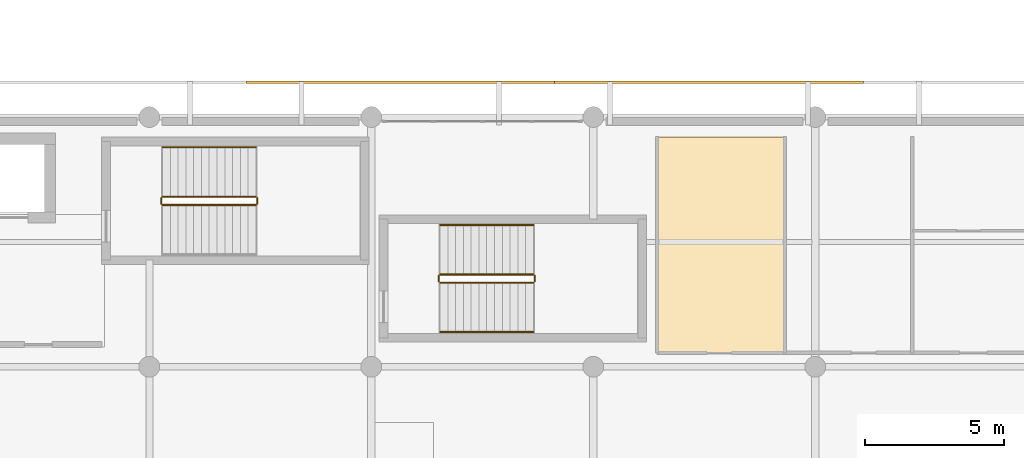
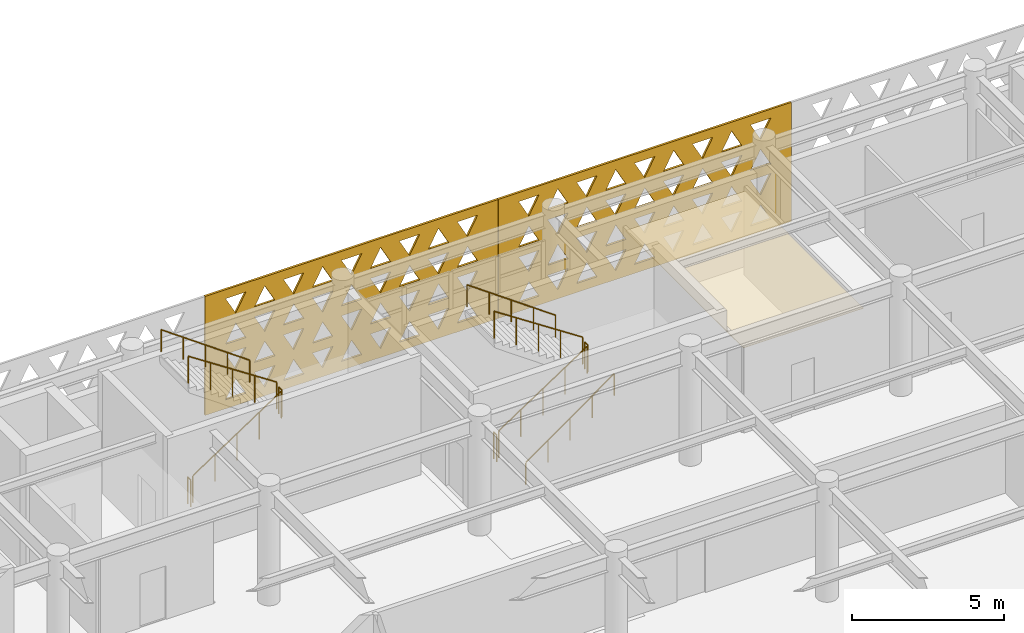
# One storey, part 29 of 33: 11 railings, 3 coverings.
"""IFC4 building model written with IfcOpenShell, lengths in metres."""

from ifc_helpers import new_model, si_unit, direction, frame, origin, origin_2d, place, context, subcontext, project, spatial, polyline, circle, outline, extrude, material, layer, layer_set, type_object, element, save


model = new_model("IFC4")

# Units and contexts
model_context = context("Model", 3, precision=1e-05, world=origin(), true_north=direction((0.0, 1.0)))
body_context = subcontext(model_context, "Body", "Model", "MODEL_VIEW")
ifc_project = project(units=[si_unit("LENGTHUNIT", "METRE"), si_unit("AREAUNIT", "SQUARE_METRE"), si_unit("VOLUMEUNIT", "CUBIC_METRE"), si_unit("PLANEANGLEUNIT", "RADIAN"), si_unit("MASSUNIT", "GRAM", prefix="KILO")], contexts=[model_context])

# Site, building, storey
site_placement = place(None, origin())
site = spatial("IfcSite", under=ifc_project, at=site_placement, CompositionType="ELEMENT")
building_placement = place(site_placement, origin())
building = spatial("IfcBuilding", under=site, at=building_placement, Name="Tlacozan Convention Centre", CompositionType="ELEMENT")
storey_placement = place(building_placement, frame((0.0, 0.0, 16.199951171875)))
storey = spatial("IfcBuildingStorey", under=building, at=storey_placement, Name="L03", CompositionType="ELEMENT", Elevation=16.199951171875)

# Covering
ifc_material_1 = material(Name="Perforated Acoustic Mineral Fibre Ceiling")
ifc_layer_1 = layer(ifc_material_1, 0.02490234375)
ifc_layer_set_1 = layer_set([ifc_layer_1], Name="Perforated Acoustic Mineral Fibre Ceiling")
covering_type_1 = type_object("IfcCoveringType", Name="Acoustic Mineral Fibre Ceiling 25", PredefinedType="CEILING", material=ifc_layer_set_1)
covering_1_placement = place(storey_placement, frame((0.0, 0.0, 3.35009765625)))
element("IfcCovering", 1, at=covering_1_placement, inside=storey, type_object=covering_type_1, Name="L03 Acoustic Ceiling L03-WC1", PredefinedType="CEILING", context=body_context, shape_type="SweptSolid", body=[
    extrude(outline(polyline([(58.320068359375, 18.52001953125), (62.8798828125, 18.52001953125), (62.8798828125, 26.280029296875), (58.320068359375, 26.280029296875), (58.320068359375, 18.52001953125)])), origin(), (0.0, 0.0, 1.0), 0.02490234375),
])

# Railings
ifc_material_2 = material(Name="Architectural Painted Galvanised Steel Railing", Category="steel")
railing_type_1 = type_object("IfcRailingType", Name="Stair Wall Handrail 900", PredefinedType="HANDRAIL", material=ifc_material_2)
railing_1_placement = place(storey_placement, frame((43.840087890625, 25.909912109375, 2.584716796875)))
element("IfcRailing", 2, at=railing_1_placement, inside=storey, type_object=railing_type_1, Name="L03 ST-04 stair handrail 2", PredefinedType="HANDRAIL", context=body_context, shape_type="SweptSolid", body=[
    extrude(circle(Radius=0.02392578125, at=origin_2d()), frame((0.0, 0.0, 0.8759765625), z_axis=(-0.813753445783, 0.0, 0.581210228297), x_axis=(0.0, -1.0, 0.0)), (0.0, 0.0, 1.0), 4.129150390625),
    extrude(circle(Radius=0.02099609375, at=origin_2d()), origin(), (0.0, 0.0, 1.0), 0.851806640625),
    extrude(circle(Radius=0.02099609375, at=origin_2d()), frame((-0.840087890625, 0.0, 0.60009765625)), (0.0, 0.0, 1.0), 0.851806640625),
    extrude(circle(Radius=0.02099609375, at=origin_2d()), frame((-1.68017578125, 0.0, 1.199951171875)), (0.0, 0.0, 1.0), 0.851806640625),
    extrude(circle(Radius=0.02099609375, at=origin_2d()), frame((-2.52001953125, 0.0, 1.7998046875)), (0.0, 0.0, 1.0), 0.851806640625),
    extrude(circle(Radius=0.02099609375, at=origin_2d()), frame((-3.360107421875, 0.0, 2.39990234375)), (0.0, 0.0, 1.0), 0.851806640625),
])
railing_2_placement = place(storey_placement, frame((50.47998046875, 19.25, 0.1845703125)))
element("IfcRailing", 3, at=railing_2_placement, inside=storey, type_object=railing_type_1, Name="L03 ST-14 stair handrail 1", PredefinedType="HANDRAIL", context=body_context, shape_type="SweptSolid", body=[
    extrude(circle(Radius=0.02392578125, at=origin_2d()), frame((0.0, 0.0, 0.8759765625), z_axis=(0.813725481382, 0.0, 0.581249379312), x_axis=(0.0, 1.0, 0.0)), (0.0, 0.0, 1.0), 4.12939453125),
    extrude(circle(Radius=0.02099609375, at=origin_2d()), origin(), (0.0, 0.0, 1.0), 0.851806640625),
    extrude(circle(Radius=0.02099609375, at=origin_2d()), frame((0.840087890625, 0.0, 0.60009765625)), (0.0, 0.0, 1.0), 0.851806640625),
    extrude(circle(Radius=0.02099609375, at=origin_2d()), frame((1.68017578125, 0.0, 1.2001953125)), (0.0, 0.0, 1.0), 0.851806640625),
    extrude(circle(Radius=0.02099609375, at=origin_2d()), frame((2.52001953125, 0.0, 1.800048828125)), (0.0, 0.0, 1.0), 0.851806640625),
    extrude(circle(Radius=0.02099609375, at=origin_2d()), frame((3.360107421875, 0.0, 2.400146484375)), (0.0, 0.0, 1.0), 0.851806640625),
])
railing_3_placement = place(storey_placement, frame((53.840087890625, 23.110107421875, 2.584716796875)))
element("IfcRailing", 4, at=railing_3_placement, inside=storey, type_object=railing_type_1, Name="L03 ST-14 stair handrail 2", PredefinedType="HANDRAIL", context=body_context, shape_type="SweptSolid", body=[
    extrude(circle(Radius=0.02392578125, at=origin_2d()), frame((0.0, 0.0, 0.8759765625), z_axis=(-0.813753445783, 0.0, 0.581210228297), x_axis=(0.0, -1.0, 0.0)), (0.0, 0.0, 1.0), 4.129150390625),
    extrude(circle(Radius=0.02099609375, at=origin_2d()), origin(), (0.0, 0.0, 1.0), 0.851806640625),
    extrude(circle(Radius=0.02099609375, at=origin_2d()), frame((-0.840087890625, 0.0, 0.60009765625)), (0.0, 0.0, 1.0), 0.851806640625),
    extrude(circle(Radius=0.02099609375, at=origin_2d()), frame((-1.68017578125, 0.0, 1.199951171875)), (0.0, 0.0, 1.0), 0.851806640625),
    extrude(circle(Radius=0.02099609375, at=origin_2d()), frame((-2.52001953125, 0.0, 1.7998046875)), (0.0, 0.0, 1.0), 0.851806640625),
    extrude(circle(Radius=0.02099609375, at=origin_2d()), frame((-3.360107421875, 0.0, 2.39990234375)), (0.0, 0.0, 1.0), 0.851806640625),
])
railing_type_2 = type_object("IfcRailingType", Name="Stair Well Guardrail 1100", PredefinedType="GUARDRAIL", material=ifc_material_2)
railing_4_placement = place(storey_placement, frame((40.47998046875, 23.830078125, 0.1845703125)))
element("IfcRailing", 5, at=railing_4_placement, inside=storey, type_object=railing_type_2, Name="L03 ST-04 stair guard 1", PredefinedType="GUARDRAIL", context=body_context, shape_type="SweptSolid", body=[
    extrude(circle(Radius=0.02392578125, at=origin_2d()), frame((0.0, 0.0, 1.076171875), z_axis=(0.834848600103, 0.0, 0.550479622607), x_axis=(0.0, 1.0, 0.0)), (0.0, 0.0, 1.0), 4.02490234375),
    extrude(circle(Radius=0.02099609375, at=origin_2d()), origin(), (0.0, 0.0, 1.0), 1.052001953125),
    extrude(circle(Radius=0.02099609375, at=origin_2d()), frame((0.840087890625, 0.0, 0.553955078125)), (0.0, 0.0, 1.0), 1.052001953125),
    extrude(circle(Radius=0.02099609375, at=origin_2d()), frame((1.68017578125, 0.0, 1.10791015625)), (0.0, 0.0, 1.0), 1.052001953125),
    extrude(circle(Radius=0.02099609375, at=origin_2d()), frame((2.52001953125, 0.0, 1.66162109375)), (0.0, 0.0, 1.0), 1.052001953125),
    extrude(circle(Radius=0.02099609375, at=origin_2d()), frame((3.360107421875, 0.0, 2.215576171875)), (0.0, 0.0, 1.0), 1.052001953125),
])
railing_5_placement = place(storey_placement, frame((43.889892578125, 23.8798828125, 2.400146484375)))
element("IfcRailing", 6, at=railing_5_placement, inside=storey, type_object=railing_type_2, Name="L03 ST-04 stair guard 2", PredefinedType="GUARDRAIL", context=body_context, shape_type="SweptSolid", body=[
    extrude(circle(Radius=0.02392578125, at=origin_2d()), frame((0.0, 0.0, 1.076171875), z_axis=(0.0, 1.0, 0.0), x_axis=(-1.0, 0.0, 0.0)), (0.0, 0.0, 1.0), 0.2001953125),
    extrude(circle(Radius=0.02099609375, at=origin_2d()), origin(), (0.0, 0.0, 1.0), 1.052001953125),
    extrude(circle(Radius=0.02099609375, at=origin_2d()), frame((0.0, 0.2001953125, 0.0)), (0.0, 0.0, 1.0), 1.052001953125),
])
railing_6_placement = place(storey_placement, frame((43.840087890625, 24.1298828125, 2.584716796875)))
element("IfcRailing", 7, at=railing_6_placement, inside=storey, type_object=railing_type_2, Name="L03 ST-04 stair guard 3", PredefinedType="GUARDRAIL", context=body_context, shape_type="SweptSolid", body=[
    extrude(circle(Radius=0.02392578125, at=origin_2d()), frame((0.0, 0.0, 1.076171875), z_axis=(-0.834876476806, 0.0, 0.550437342915), x_axis=(0.0, -1.0, 0.0)), (0.0, 0.0, 1.0), 4.024658203125),
    extrude(circle(Radius=0.02099609375, at=origin_2d()), origin(), (0.0, 0.0, 1.0), 1.052001953125),
    extrude(circle(Radius=0.02099609375, at=origin_2d()), frame((-0.840087890625, 0.0, 0.5537109375)), (0.0, 0.0, 1.0), 1.052001953125),
    extrude(circle(Radius=0.02099609375, at=origin_2d()), frame((-1.68017578125, 0.0, 1.107666015625)), (0.0, 0.0, 1.0), 1.052001953125),
    extrude(circle(Radius=0.02099609375, at=origin_2d()), frame((-2.52001953125, 0.0, 1.66162109375)), (0.0, 0.0, 1.0), 1.052001953125),
    extrude(circle(Radius=0.02099609375, at=origin_2d()), frame((-3.360107421875, 0.0, 2.21533203125)), (0.0, 0.0, 1.0), 1.052001953125),
])
railing_7_placement = place(storey_placement, frame((40.429931640625, 23.8798828125, 0.0)))
element("IfcRailing", 8, at=railing_7_placement, inside=storey, type_object=railing_type_2, Name="L03 ST-04 stair guard 4", PredefinedType="GUARDRAIL", context=body_context, shape_type="SweptSolid", body=[
    extrude(circle(Radius=0.02392578125, at=origin_2d()), frame((0.0, 0.0, 1.076171875), z_axis=(0.0, 1.0, 0.0), x_axis=(-1.0, 0.0, 0.0)), (0.0, 0.0, 1.0), 0.2001953125),
    extrude(circle(Radius=0.02099609375, at=origin_2d()), origin(), (0.0, 0.0, 1.0), 1.052001953125),
    extrude(circle(Radius=0.02099609375, at=origin_2d()), frame((0.0, 0.2001953125, 0.0)), (0.0, 0.0, 1.0), 1.052001953125),
])
railing_8_placement = place(storey_placement, frame((50.47998046875, 21.030029296875, 0.1845703125)))
element("IfcRailing", 9, at=railing_8_placement, inside=storey, type_object=railing_type_2, Name="L03 ST-14 stair guard 1", PredefinedType="GUARDRAIL", context=body_context, shape_type="SweptSolid", body=[
    extrude(circle(Radius=0.02392578125, at=origin_2d()), frame((0.0, 0.0, 1.076171875), z_axis=(0.834848600103, 0.0, 0.550479622607), x_axis=(0.0, 1.0, 0.0)), (0.0, 0.0, 1.0), 4.02490234375),
    extrude(circle(Radius=0.02099609375, at=origin_2d()), origin(), (0.0, 0.0, 1.0), 1.052001953125),
    extrude(circle(Radius=0.02099609375, at=origin_2d()), frame((0.840087890625, 0.0, 0.553955078125)), (0.0, 0.0, 1.0), 1.052001953125),
    extrude(circle(Radius=0.02099609375, at=origin_2d()), frame((1.68017578125, 0.0, 1.10791015625)), (0.0, 0.0, 1.0), 1.052001953125),
    extrude(circle(Radius=0.02099609375, at=origin_2d()), frame((2.52001953125, 0.0, 1.66162109375)), (0.0, 0.0, 1.0), 1.052001953125),
    extrude(circle(Radius=0.02099609375, at=origin_2d()), frame((3.360107421875, 0.0, 2.215576171875)), (0.0, 0.0, 1.0), 1.052001953125),
])
railing_9_placement = place(storey_placement, frame((53.889892578125, 21.080078125, 2.400146484375)))
element("IfcRailing", 10, at=railing_9_placement, inside=storey, type_object=railing_type_2, Name="L03 ST-14 stair guard 2", PredefinedType="GUARDRAIL", context=body_context, shape_type="SweptSolid", body=[
    extrude(circle(Radius=0.02392578125, at=origin_2d()), frame((0.0, 0.0, 1.076171875), z_axis=(0.0, 1.0, 0.0), x_axis=(-1.0, 0.0, 0.0)), (0.0, 0.0, 1.0), 0.199951171875),
    extrude(circle(Radius=0.02099609375, at=origin_2d()), origin(), (0.0, 0.0, 1.0), 1.052001953125),
    extrude(circle(Radius=0.02099609375, at=origin_2d()), frame((0.0, 0.199951171875, 0.0)), (0.0, 0.0, 1.0), 1.052001953125),
])
railing_10_placement = place(storey_placement, frame((53.840087890625, 21.330078125, 2.584716796875)))
element("IfcRailing", 11, at=railing_10_placement, inside=storey, type_object=railing_type_2, Name="L03 ST-14 stair guard 3", PredefinedType="GUARDRAIL", context=body_context, shape_type="SweptSolid", body=[
    extrude(circle(Radius=0.02392578125, at=origin_2d()), frame((0.0, 0.0, 1.076171875), z_axis=(-0.834876476806, 0.0, 0.550437342915), x_axis=(0.0, -1.0, 0.0)), (0.0, 0.0, 1.0), 4.024658203125),
    extrude(circle(Radius=0.02099609375, at=origin_2d()), origin(), (0.0, 0.0, 1.0), 1.052001953125),
    extrude(circle(Radius=0.02099609375, at=origin_2d()), frame((-0.840087890625, 0.0, 0.5537109375)), (0.0, 0.0, 1.0), 1.052001953125),
    extrude(circle(Radius=0.02099609375, at=origin_2d()), frame((-1.68017578125, 0.0, 1.107666015625)), (0.0, 0.0, 1.0), 1.052001953125),
    extrude(circle(Radius=0.02099609375, at=origin_2d()), frame((-2.52001953125, 0.0, 1.66162109375)), (0.0, 0.0, 1.0), 1.052001953125),
    extrude(circle(Radius=0.02099609375, at=origin_2d()), frame((-3.360107421875, 0.0, 2.21533203125)), (0.0, 0.0, 1.0), 1.052001953125),
])
railing_11_placement = place(storey_placement, frame((50.429931640625, 21.080078125, 0.0)))
element("IfcRailing", 12, at=railing_11_placement, inside=storey, type_object=railing_type_2, Name="L03 ST-14 stair guard 4", PredefinedType="GUARDRAIL", context=body_context, shape_type="SweptSolid", body=[
    extrude(circle(Radius=0.02392578125, at=origin_2d()), frame((0.0, 0.0, 1.076171875), z_axis=(0.0, 1.0, 0.0), x_axis=(-1.0, 0.0, 0.0)), (0.0, 0.0, 1.0), 0.199951171875),
    extrude(circle(Radius=0.02099609375, at=origin_2d()), origin(), (0.0, 0.0, 1.0), 1.052001953125),
    extrude(circle(Radius=0.02099609375, at=origin_2d()), frame((0.0, 0.199951171875, 0.0)), (0.0, 0.0, 1.0), 1.052001953125),
])

# Coverings
ifc_material_3 = material(Name="Toluca Fired Terracotta Masonry Solar Screen", Category="masonry")
ifc_layer_2 = layer(ifc_material_3, 0.080078125)
ifc_layer_set_2 = layer_set([ifc_layer_2], Name="Toluca Fired Terracotta Masonry Solar Screen")
covering_type_2 = type_object("IfcCoveringType", Name="Terracotta Triangle Solar Screen 80", PredefinedType="USERDEFINED", material=ifc_layer_set_2)
covering_2_placement = place(storey_placement, frame((43.47705078125, 28.25, -0.030029296875), z_axis=(0.0, 0.0, 1.0), x_axis=(1.0, 0.0, 0.0)))
element("IfcCovering", 13, at=covering_2_placement, inside=storey, type_object=covering_type_2, Name="L03 Terracotta Triangle Screen 73", ObjectType="SCREEN", PredefinedType="USERDEFINED", context=body_context, shape_type="SweptSolid", body=[
    extrude(outline(polyline([(0.0, 0.0), (11.127197265625, 0.0), (11.127197265625, 4.780029296875), (0.0, 4.780029296875), (0.0, 0.0)]), holes=[polyline([(0.777587890625, 0.360107421875), (1.549560546875, 0.360107421875), (1.16357421875, 1.074951171875), (0.777587890625, 0.360107421875)]), polyline([(1.877685546875, 1.074951171875), (2.649658203125, 1.074951171875), (2.263671875, 0.360107421875), (1.877685546875, 1.074951171875)]), polyline([(2.9775390625, 0.360107421875), (3.74951171875, 0.360107421875), (3.363525390625, 1.074951171875), (2.9775390625, 0.360107421875)]), polyline([(4.07763671875, 1.074951171875), (4.849609375, 1.074951171875), (4.463623046875, 0.360107421875), (4.07763671875, 1.074951171875)]), polyline([(5.177490234375, 0.360107421875), (5.94970703125, 0.360107421875), (5.5634765625, 1.074951171875), (5.177490234375, 0.360107421875)]), polyline([(6.277587890625, 1.074951171875), (7.049560546875, 1.074951171875), (6.66357421875, 0.360107421875), (6.277587890625, 1.074951171875)]), polyline([(7.377685546875, 0.360107421875), (8.149658203125, 0.360107421875), (7.763671875, 1.074951171875), (7.377685546875, 0.360107421875)]), polyline([(8.4775390625, 1.074951171875), (9.24951171875, 1.074951171875), (8.863525390625, 0.360107421875), (8.4775390625, 1.074951171875)]), polyline([(9.57763671875, 0.360107421875), (10.349609375, 0.360107421875), (9.963623046875, 1.074951171875), (9.57763671875, 0.360107421875)]), polyline([(0.777587890625, 2.18994140625), (1.549560546875, 2.18994140625), (1.16357421875, 1.47509765625), (0.777587890625, 2.18994140625)]), polyline([(1.877685546875, 1.47509765625), (2.649658203125, 1.47509765625), (2.263671875, 2.18994140625), (1.877685546875, 1.47509765625)]), polyline([(2.9775390625, 2.18994140625), (3.74951171875, 2.18994140625), (3.363525390625, 1.47509765625), (2.9775390625, 2.18994140625)]), polyline([(4.07763671875, 1.47509765625), (4.849609375, 1.47509765625), (4.463623046875, 2.18994140625), (4.07763671875, 1.47509765625)]), polyline([(5.177490234375, 2.18994140625), (5.94970703125, 2.18994140625), (5.5634765625, 1.47509765625), (5.177490234375, 2.18994140625)]), polyline([(6.277587890625, 1.47509765625), (7.049560546875, 1.47509765625), (6.66357421875, 2.18994140625), (6.277587890625, 1.47509765625)]), polyline([(7.377685546875, 2.18994140625), (8.149658203125, 2.18994140625), (7.763671875, 1.47509765625), (7.377685546875, 2.18994140625)]), polyline([(8.4775390625, 1.47509765625), (9.24951171875, 1.47509765625), (8.863525390625, 2.18994140625), (8.4775390625, 1.47509765625)]), polyline([(9.57763671875, 2.18994140625), (10.349609375, 2.18994140625), (9.963623046875, 1.47509765625), (9.57763671875, 2.18994140625)]), polyline([(0.777587890625, 2.590087890625), (1.549560546875, 2.590087890625), (1.16357421875, 3.304931640625), (0.777587890625, 2.590087890625)]), polyline([(1.877685546875, 3.304931640625), (2.649658203125, 3.304931640625), (2.263671875, 2.590087890625), (1.877685546875, 3.304931640625)]), polyline([(2.9775390625, 2.590087890625), (3.74951171875, 2.590087890625), (3.363525390625, 3.304931640625), (2.9775390625, 2.590087890625)]), polyline([(4.07763671875, 3.304931640625), (4.849609375, 3.304931640625), (4.463623046875, 2.590087890625), (4.07763671875, 3.304931640625)]), polyline([(5.177490234375, 2.590087890625), (5.94970703125, 2.590087890625), (5.5634765625, 3.304931640625), (5.177490234375, 2.590087890625)]), polyline([(6.277587890625, 3.304931640625), (7.049560546875, 3.304931640625), (6.66357421875, 2.590087890625), (6.277587890625, 3.304931640625)]), polyline([(7.377685546875, 2.590087890625), (8.149658203125, 2.590087890625), (7.763671875, 3.304931640625), (7.377685546875, 2.590087890625)]), polyline([(8.4775390625, 3.304931640625), (9.24951171875, 3.304931640625), (8.863525390625, 2.590087890625), (8.4775390625, 3.304931640625)]), polyline([(9.57763671875, 2.590087890625), (10.349609375, 2.590087890625), (9.963623046875, 3.304931640625), (9.57763671875, 2.590087890625)]), polyline([(0.777587890625, 4.419921875), (1.549560546875, 4.419921875), (1.16357421875, 3.705078125), (0.777587890625, 4.419921875)]), polyline([(1.877685546875, 3.705078125), (2.649658203125, 3.705078125), (2.263671875, 4.419921875), (1.877685546875, 3.705078125)]), polyline([(2.9775390625, 4.419921875), (3.74951171875, 4.419921875), (3.363525390625, 3.705078125), (2.9775390625, 4.419921875)]), polyline([(4.07763671875, 3.705078125), (4.849609375, 3.705078125), (4.463623046875, 4.419921875), (4.07763671875, 3.705078125)]), polyline([(5.177490234375, 4.419921875), (5.94970703125, 4.419921875), (5.5634765625, 3.705078125), (5.177490234375, 4.419921875)]), polyline([(6.277587890625, 3.705078125), (7.049560546875, 3.705078125), (6.66357421875, 4.419921875), (6.277587890625, 3.705078125)]), polyline([(7.377685546875, 4.419921875), (8.149658203125, 4.419921875), (7.763671875, 3.705078125), (7.377685546875, 4.419921875)]), polyline([(8.4775390625, 3.705078125), (9.24951171875, 3.705078125), (8.863525390625, 4.419921875), (8.4775390625, 3.705078125)]), polyline([(9.57763671875, 4.419921875), (10.349609375, 4.419921875), (9.963623046875, 3.705078125), (9.57763671875, 4.419921875)])]), frame((0.0, 0.0400390625, 0.0), z_axis=(0.0, -1.0, 0.0), x_axis=(1.0, 0.0, 0.0)), (0.0, 0.0, 1.0), 0.080078125),
])
covering_3_placement = place(storey_placement, frame((54.6083984375, 28.25, -0.030029296875), z_axis=(0.0, 0.0, 1.0), x_axis=(1.0, 0.0, 0.0)))
element("IfcCovering", 14, at=covering_3_placement, inside=storey, type_object=covering_type_2, Name="L03 Terracotta Triangle Screen 74", ObjectType="SCREEN", PredefinedType="USERDEFINED", context=body_context, shape_type="SweptSolid", body=[
    extrude(outline(polyline([(0.0, 0.0), (11.127197265625, 0.0), (11.127197265625, 4.780029296875), (0.0, 4.780029296875), (0.0, 0.0)]), holes=[polyline([(0.777587890625, 0.360107421875), (1.549560546875, 0.360107421875), (1.16357421875, 1.074951171875), (0.777587890625, 0.360107421875)]), polyline([(1.877685546875, 1.074951171875), (2.649658203125, 1.074951171875), (2.263671875, 0.360107421875), (1.877685546875, 1.074951171875)]), polyline([(2.9775390625, 0.360107421875), (3.74951171875, 0.360107421875), (3.363525390625, 1.074951171875), (2.9775390625, 0.360107421875)]), polyline([(4.07763671875, 1.074951171875), (4.849609375, 1.074951171875), (4.463623046875, 0.360107421875), (4.07763671875, 1.074951171875)]), polyline([(5.177490234375, 0.360107421875), (5.94970703125, 0.360107421875), (5.5634765625, 1.074951171875), (5.177490234375, 0.360107421875)]), polyline([(6.277587890625, 1.074951171875), (7.049560546875, 1.074951171875), (6.66357421875, 0.360107421875), (6.277587890625, 1.074951171875)]), polyline([(7.377685546875, 0.360107421875), (8.149658203125, 0.360107421875), (7.763671875, 1.074951171875), (7.377685546875, 0.360107421875)]), polyline([(8.4775390625, 1.074951171875), (9.24951171875, 1.074951171875), (8.863525390625, 0.360107421875), (8.4775390625, 1.074951171875)]), polyline([(9.57763671875, 0.360107421875), (10.349609375, 0.360107421875), (9.963623046875, 1.074951171875), (9.57763671875, 0.360107421875)]), polyline([(0.777587890625, 2.18994140625), (1.549560546875, 2.18994140625), (1.16357421875, 1.47509765625), (0.777587890625, 2.18994140625)]), polyline([(1.877685546875, 1.47509765625), (2.649658203125, 1.47509765625), (2.263671875, 2.18994140625), (1.877685546875, 1.47509765625)]), polyline([(2.9775390625, 2.18994140625), (3.74951171875, 2.18994140625), (3.363525390625, 1.47509765625), (2.9775390625, 2.18994140625)]), polyline([(4.07763671875, 1.47509765625), (4.849609375, 1.47509765625), (4.463623046875, 2.18994140625), (4.07763671875, 1.47509765625)]), polyline([(5.177490234375, 2.18994140625), (5.94970703125, 2.18994140625), (5.5634765625, 1.47509765625), (5.177490234375, 2.18994140625)]), polyline([(6.277587890625, 1.47509765625), (7.049560546875, 1.47509765625), (6.66357421875, 2.18994140625), (6.277587890625, 1.47509765625)]), polyline([(7.377685546875, 2.18994140625), (8.149658203125, 2.18994140625), (7.763671875, 1.47509765625), (7.377685546875, 2.18994140625)]), polyline([(8.4775390625, 1.47509765625), (9.24951171875, 1.47509765625), (8.863525390625, 2.18994140625), (8.4775390625, 1.47509765625)]), polyline([(9.57763671875, 2.18994140625), (10.349609375, 2.18994140625), (9.963623046875, 1.47509765625), (9.57763671875, 2.18994140625)]), polyline([(0.777587890625, 2.590087890625), (1.549560546875, 2.590087890625), (1.16357421875, 3.304931640625), (0.777587890625, 2.590087890625)]), polyline([(1.877685546875, 3.304931640625), (2.649658203125, 3.304931640625), (2.263671875, 2.590087890625), (1.877685546875, 3.304931640625)]), polyline([(2.9775390625, 2.590087890625), (3.74951171875, 2.590087890625), (3.363525390625, 3.304931640625), (2.9775390625, 2.590087890625)]), polyline([(4.07763671875, 3.304931640625), (4.849609375, 3.304931640625), (4.463623046875, 2.590087890625), (4.07763671875, 3.304931640625)]), polyline([(5.177490234375, 2.590087890625), (5.94970703125, 2.590087890625), (5.5634765625, 3.304931640625), (5.177490234375, 2.590087890625)]), polyline([(6.277587890625, 3.304931640625), (7.049560546875, 3.304931640625), (6.66357421875, 2.590087890625), (6.277587890625, 3.304931640625)]), polyline([(7.377685546875, 2.590087890625), (8.149658203125, 2.590087890625), (7.763671875, 3.304931640625), (7.377685546875, 2.590087890625)]), polyline([(8.4775390625, 3.304931640625), (9.24951171875, 3.304931640625), (8.863525390625, 2.590087890625), (8.4775390625, 3.304931640625)]), polyline([(9.57763671875, 2.590087890625), (10.349609375, 2.590087890625), (9.963623046875, 3.304931640625), (9.57763671875, 2.590087890625)]), polyline([(0.777587890625, 4.419921875), (1.549560546875, 4.419921875), (1.16357421875, 3.705078125), (0.777587890625, 4.419921875)]), polyline([(1.877685546875, 3.705078125), (2.649658203125, 3.705078125), (2.263671875, 4.419921875), (1.877685546875, 3.705078125)]), polyline([(2.9775390625, 4.419921875), (3.74951171875, 4.419921875), (3.363525390625, 3.705078125), (2.9775390625, 4.419921875)]), polyline([(4.07763671875, 3.705078125), (4.849609375, 3.705078125), (4.463623046875, 4.419921875), (4.07763671875, 3.705078125)]), polyline([(5.177490234375, 4.419921875), (5.94970703125, 4.419921875), (5.5634765625, 3.705078125), (5.177490234375, 4.419921875)]), polyline([(6.277587890625, 3.705078125), (7.049560546875, 3.705078125), (6.66357421875, 4.419921875), (6.277587890625, 3.705078125)]), polyline([(7.377685546875, 4.419921875), (8.149658203125, 4.419921875), (7.763671875, 3.705078125), (7.377685546875, 4.419921875)]), polyline([(8.4775390625, 3.705078125), (9.24951171875, 3.705078125), (8.863525390625, 4.419921875), (8.4775390625, 3.705078125)]), polyline([(9.57763671875, 4.419921875), (10.349609375, 4.419921875), (9.963623046875, 3.705078125), (9.57763671875, 4.419921875)])]), frame((0.0, 0.0400390625, 0.0), z_axis=(0.0, -1.0, 0.0), x_axis=(1.0, 0.0, 0.0)), (0.0, 0.0, 1.0), 0.080078125),
])

save(model, "model.ifc")
